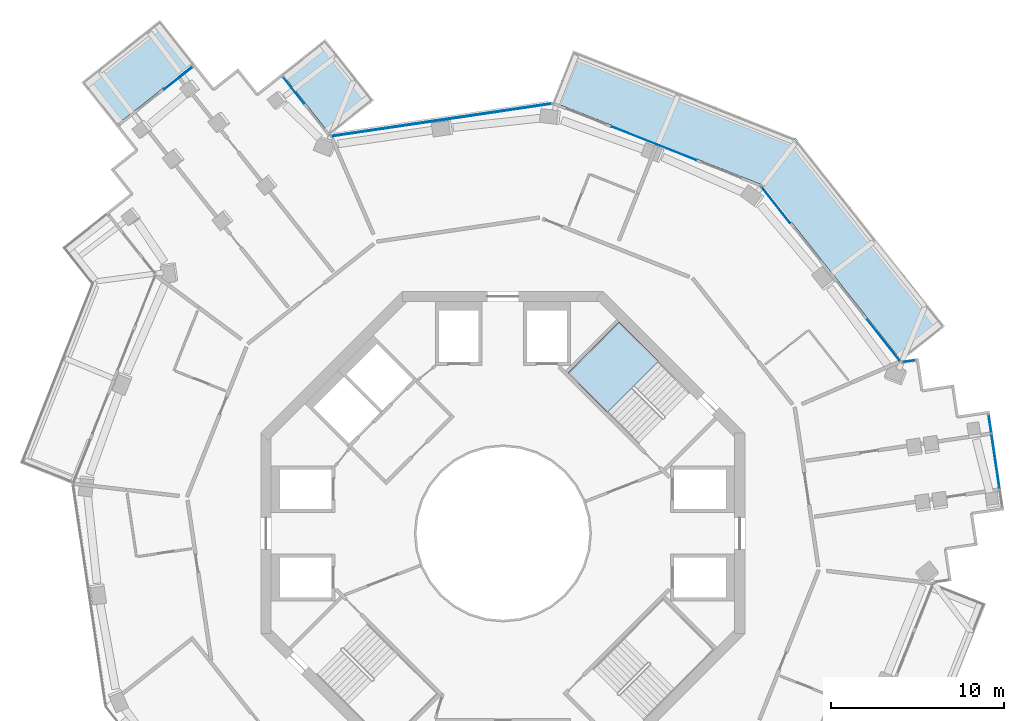
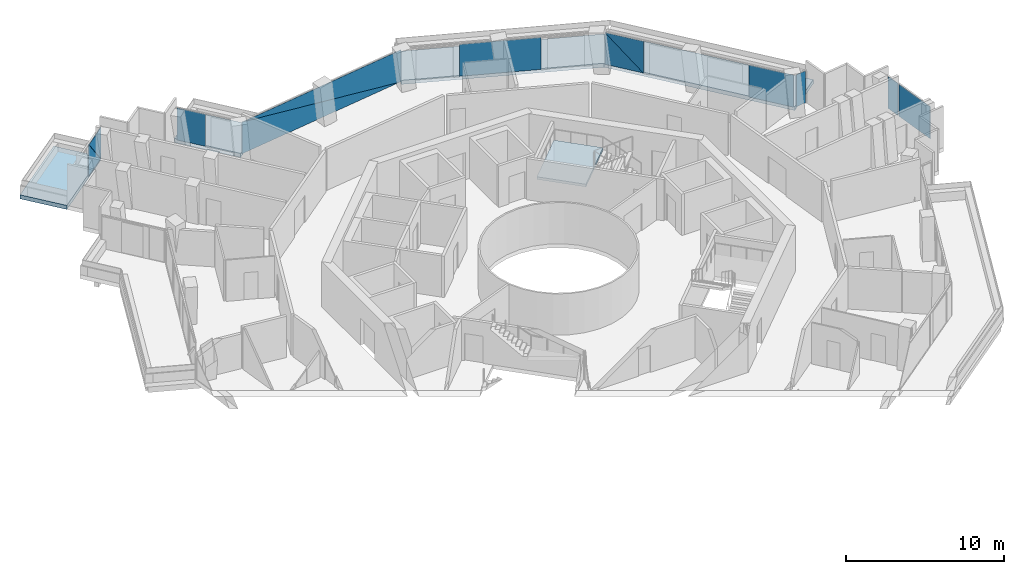
# One storey, part 13 of 21: 12 plates, 4 slabs, 8 elements without a shape of their own.
"""IFC4 building model written with IfcOpenShell, lengths in metres."""

from ifc_helpers import new_model, si_unit, direction, frame, origin, origin_2d, place, context, subcontext, project, spatial, polyline, rectangle, outline, extrude, material, layer, layer_set, type_object, element, aggregate, save


model = new_model("IFC4")

# Units and contexts
model_context = context("Model", 3, precision=1e-05, world=origin(), true_north=direction((0.0, 1.0)))
body_context = subcontext(model_context, "Body", "Model", "MODEL_VIEW")
ifc_project = project(units=[si_unit("LENGTHUNIT", "METRE"), si_unit("AREAUNIT", "SQUARE_METRE"), si_unit("VOLUMEUNIT", "CUBIC_METRE"), si_unit("PLANEANGLEUNIT", "RADIAN"), si_unit("MASSUNIT", "GRAM", prefix="KILO")], contexts=[model_context])

# Site, building, storey
site_placement = place(None, origin())
site = spatial("IfcSite", under=ifc_project, at=site_placement, CompositionType="ELEMENT")
building_placement = place(site_placement, origin())
building = spatial("IfcBuilding", under=site, at=building_placement, Name="Verdalira Terraces Hotel", CompositionType="ELEMENT")
storey_placement = place(building_placement, frame((0.0, 0.0, 190.5)))
storey = spatial("IfcBuildingStorey", under=building, at=storey_placement, Name="L46", CompositionType="ELEMENT", Elevation=190.5)

# Slabs
ifc_material_1 = material(Name="Precast concrete C40/50", Category="concrete")
ifc_layer_1 = layer(ifc_material_1, 0.31005859375)
ifc_layer_set_1 = layer_set([ifc_layer_1], Name="Balcony deck 310")
slab_type_1 = type_object("IfcSlabType", Name="Balcony deck 310", PredefinedType="FLOOR", material=ifc_layer_set_1)
slab_1_placement = place(storey_placement, frame((0.0, 0.0, -0.310059)))
element("IfcSlab", 1, at=slab_1_placement, inside=storey, type_object=slab_type_1, Name="Balcony deck", PredefinedType="FLOOR", context=body_context, shape_type="SweptSolid", body=[
    extrude(outline(polyline([(-24.374756, 26.084473), (-22.387207, 23.57666), (-17.841553, 27.179443), (-19.829346, 29.687256), (-24.374756, 26.084473)])), origin(), (0.0, 0.0, 1.0), 0.310059),
])
slab_2_placement = place(storey_placement, frame((0.0, 0.0, -0.310059)))
element("IfcSlab", 2, at=slab_2_placement, inside=storey, type_object=slab_type_1, Name="Balcony deck", PredefinedType="FLOOR", context=body_context, shape_type="SweptSolid", body=[
    extrude(outline(polyline([(4.064453, 27.922852), (2.886475, 24.947754), (14.973633, 20.162109), (23.048584, 9.974121), (25.556396, 11.96167), (16.948975, 22.821777), (4.064453, 27.922852)])), origin(), (0.0, 0.0, 1.0), 0.310059),
])
slab_3_placement = place(storey_placement, frame((0.0, 0.0, -0.310059)))
element("IfcSlab", 3, at=slab_3_placement, inside=storey, type_object=slab_type_1, Name="Balcony deck", PredefinedType="FLOOR", context=body_context, shape_type="SweptSolid", body=[
    extrude(outline(polyline([(-10.276367, 28.581787), (-12.78418, 26.594238), (-9.974121, 23.048584), (-7.466064, 25.036133), (-10.276367, 28.581787)])), origin(), (0.0, 0.0, 1.0), 0.310059),
])

# Curtain wall, plates
ifc_material_2 = material(Name="Clear glass", Category="glass")
ifc_layer_2 = layer(ifc_material_2, 0.14990234375)
ifc_layer_set_2 = layer_set([ifc_layer_2], Name="CW1 curtain wall")
curtain_wall_type_1 = type_object("IfcCurtainWallType", Name="CW1 curtain wall", PredefinedType="NOTDEFINED", material=ifc_layer_set_2)
curtain_wall_1_placement = place(storey_placement, origin())
curtain_wall_1 = element("IfcCurtainWall", 4, at=curtain_wall_1_placement, inside=storey, type_object=curtain_wall_type_1, Name="CW1 curtain wall L46 edge 39", PredefinedType="NOTDEFINED")
ifc_material_3 = material(Name="Clear glass", Category="glass")
ifc_layer_3 = layer(ifc_material_3, 0.028076171875)
ifc_layer_set_3 = layer_set([ifc_layer_3], Name="CW1 glass unit 28")
plate_type_1 = type_object("IfcPlateType", Name="CW1 glass unit 28", PredefinedType="CURTAIN_PANEL", material=ifc_layer_set_3)
plate_1_placement = place(storey_placement, frame((22.008301, 11.165771, 0.0), z_axis=(0.0, 0.0, 1.0), x_axis=(-0.62114778, 0.783693457, 0.0)))
plate_1 = element("IfcPlate", 5, at=plate_1_placement, type_object=plate_type_1, Name="CW1 glass unit", PredefinedType="CURTAIN_PANEL", context=body_context, shape_type="SweptSolid", body=[
    extrude(rectangle(XDim=3.040039, YDim=0.028076, at=origin_2d()), origin(), (0.0, 0.0, 1.0), 2.475098),
])
plate_2_placement = place(storey_placement, frame((15.785645, 18.994141, 1.237549), z_axis=(0.783693457, 0.62114778, 0.0), x_axis=(-0.62114778, 0.783693457, 0.0)))
plate_2 = element("IfcPlate", 6, at=plate_2_placement, type_object=plate_type_1, Name="CW1 glass unit", PredefinedType="CURTAIN_PANEL", context=body_context, shape_type="SweptSolid", body=[
    extrude(outline(polyline([(-1.319336, -1.237549), (1.319336, -1.237549), (1.319336, 1.237549), (-1.319336, -1.237549)])), origin(), (0.0, 0.0, 1.0), 0.028076),
])
plate_3_placement = place(storey_placement, frame((15.762939, 18.976074, 1.237549), z_axis=(0.783693457, 0.62114778, 0.0), x_axis=(-0.62114778, 0.783693457, 0.0)))
plate_3 = element("IfcPlate", 7, at=plate_3_placement, type_object=plate_type_1, Name="CW1 glass unit", PredefinedType="CURTAIN_PANEL", context=body_context, shape_type="SweptSolid", body=[
    extrude(outline(polyline([(-1.319336, -1.237549), (1.319336, 1.237549), (-1.319336, 1.237549), (-1.319336, -1.237549)])), origin(), (0.0, 0.0, 1.0), 0.028076),
])
aggregate(curtain_wall_1, [plate_1, plate_2, plate_3])

# Curtain wall, plate
curtain_wall_2_placement = place(storey_placement, origin())
curtain_wall_2 = element("IfcCurtainWall", 8, at=curtain_wall_2_placement, inside=storey, type_object=curtain_wall_type_1, Name="CW1 curtain wall L46 edge 40", PredefinedType="NOTDEFINED")
plate_4_placement = place(storey_placement, frame((8.73584, 22.551025, 0.0), z_axis=(0.0, 0.0, 1.0), x_axis=(-0.929776486, 0.368124553, 0.0)))
plate_4 = element("IfcPlate", 9, at=plate_4_placement, type_object=plate_type_1, Name="CW1 glass unit", PredefinedType="CURTAIN_PANEL", context=body_context, shape_type="SweptSolid", body=[
    extrude(rectangle(XDim=5.223633, YDim=0.028076, at=origin_2d()), origin(), (0.0, 0.0, 1.0), 2.475098),
])
aggregate(curtain_wall_2, [plate_4])

# Curtain wall, plates
curtain_wall_3_placement = place(storey_placement, origin())
curtain_wall_3 = element("IfcCurtainWall", 10, at=curtain_wall_3_placement, inside=storey, type_object=curtain_wall_type_1, Name="CW1 curtain wall L46 edge 41", PredefinedType="NOTDEFINED")
plate_5_placement = place(storey_placement, frame((-3.550781, 23.906982, 1.237549), z_axis=(-0.146083029, 0.989272333, 0.0), x_axis=(-0.989272333, -0.146083029, 0.0)))
plate_5 = element("IfcPlate", 11, at=plate_5_placement, type_object=plate_type_1, Name="CW1 glass unit", PredefinedType="CURTAIN_PANEL", context=body_context, shape_type="SweptSolid", body=[
    extrude(outline(polyline([(-6.419922, -1.237549), (6.419922, -1.237549), (6.419922, 1.237549), (-6.419922, -1.237549)])), origin(), (0.0, 0.0, 1.0), 0.028076),
])
plate_6_placement = place(storey_placement, frame((-3.546387, 23.878174, 1.237549), z_axis=(-0.146083029, 0.989272333, 0.0), x_axis=(-0.989272333, -0.146083029, 0.0)))
plate_6 = element("IfcPlate", 12, at=plate_6_placement, type_object=plate_type_1, Name="CW1 glass unit", PredefinedType="CURTAIN_PANEL", context=body_context, shape_type="SweptSolid", body=[
    extrude(outline(polyline([(-6.419922, -1.237549), (6.419922, 1.237549), (-6.419922, 1.237549), (-6.419922, -1.237549)])), origin(), (0.0, 0.0, 1.0), 0.028076),
])
aggregate(curtain_wall_3, [plate_5, plate_6])

# Curtain wall, plate
ifc_material_4 = material(Name="Clear glass", Category="glass")
ifc_layer_4 = layer(ifc_material_4, 0.14990234375)
ifc_layer_set_4 = layer_set([ifc_layer_4], Name="CW2 curtain wall")
curtain_wall_type_2 = type_object("IfcCurtainWallType", Name="CW2 curtain wall", PredefinedType="NOTDEFINED", material=ifc_layer_set_4)
curtain_wall_4_placement = place(storey_placement, origin())
curtain_wall_4 = element("IfcCurtainWall", 13, at=curtain_wall_4_placement, inside=storey, type_object=curtain_wall_type_2, Name="CW2 curtain wall L46 edge 0", PredefinedType="NOTDEFINED")
ifc_material_5 = material(Name="Clear glass", Category="glass")
ifc_layer_5 = layer(ifc_material_5, 0.031982421875)
ifc_layer_set_5 = layer_set([ifc_layer_5], Name="CW2 glass unit 32")
plate_type_2 = type_object("IfcPlateType", Name="CW2 glass unit 32", PredefinedType="CURTAIN_PANEL", material=ifc_layer_set_5)
plate_7_placement = place(storey_placement, frame((-12.106689, 25.618652, 0.0), z_axis=(0.0, 0.0, 1.0), x_axis=(-0.62114778, 0.783693457, 0.0)))
plate_7 = element("IfcPlate", 14, at=plate_7_placement, type_object=plate_type_2, Name="CW2 glass unit", PredefinedType="CURTAIN_PANEL", context=body_context, shape_type="SweptSolid", body=[
    extrude(rectangle(XDim=1.930664, YDim=0.031982, at=origin_2d()), origin(), (0.0, 0.0, 1.0), 2.475098),
])
aggregate(curtain_wall_4, [plate_7])

curtain_wall_5_placement = place(storey_placement, origin())
curtain_wall_5 = element("IfcCurtainWall", 15, at=curtain_wall_5_placement, inside=storey, type_object=curtain_wall_type_2, Name="CW2 curtain wall L46 edge 38", PredefinedType="NOTDEFINED")
plate_8_placement = place(storey_placement, frame((23.47998, 9.961914, 0.0), z_axis=(0.0, 0.0, 1.0), x_axis=(-0.989272333, -0.146083029, 0.0)))
plate_8 = element("IfcPlate", 16, at=plate_8_placement, type_object=plate_type_2, Name="CW2 glass unit", PredefinedType="CURTAIN_PANEL", context=body_context, shape_type="SweptSolid", body=[
    extrude(rectangle(XDim=0.709961, YDim=0.031982, at=origin_2d()), origin(), (0.0, 0.0, 1.0), 2.475098),
])
aggregate(curtain_wall_5, [plate_8])

# Curtain wall, plates
ifc_material_6 = material(Name="Clear glass", Category="glass")
ifc_layer_6 = layer(ifc_material_6, 0.14990234375)
ifc_layer_set_6 = layer_set([ifc_layer_6], Name="CW3 curtain wall")
curtain_wall_type_3 = type_object("IfcCurtainWallType", Name="CW3 curtain wall", PredefinedType="NOTDEFINED", material=ifc_layer_set_6)
curtain_wall_6_placement = place(storey_placement, origin())
curtain_wall_6 = element("IfcCurtainWall", 17, at=curtain_wall_6_placement, inside=storey, type_object=curtain_wall_type_3, Name="CW3 curtain wall L46 edge 5", PredefinedType="NOTDEFINED")
ifc_material_7 = material(Name="Clear glass", Category="glass")
ifc_layer_7 = layer(ifc_material_7, 0.035888671875)
ifc_layer_set_7 = layer_set([ifc_layer_7], Name="CW3 glass unit 36")
plate_type_3 = type_object("IfcPlateType", Name="CW3 glass unit 36", PredefinedType="CURTAIN_PANEL", material=ifc_layer_set_7)
plate_9_placement = place(storey_placement, frame((-18.779053, 26.317627, 1.237549), z_axis=(-0.62114778, 0.783693457, 0.0), x_axis=(-0.783693457, -0.62114778, 0.0)))
plate_9 = element("IfcPlate", 18, at=plate_9_placement, type_object=plate_type_3, Name="CW3 glass unit", PredefinedType="CURTAIN_PANEL", context=body_context, shape_type="SweptSolid", body=[
    extrude(outline(polyline([(-1.040039, -1.237549), (1.040039, -1.237549), (1.040039, 1.237549), (-1.040039, -1.237549)])), origin(), (0.0, 0.0, 1.0), 0.035889),
])
plate_10_placement = place(storey_placement, frame((-18.756104, 26.288574, 1.237549), z_axis=(-0.62114778, 0.783693457, 0.0), x_axis=(-0.783693457, -0.62114778, 0.0)))
plate_10 = element("IfcPlate", 19, at=plate_10_placement, type_object=plate_type_3, Name="CW3 glass unit", PredefinedType="CURTAIN_PANEL", context=body_context, shape_type="SweptSolid", body=[
    extrude(outline(polyline([(-1.040039, -1.237549), (1.040039, 1.237549), (-1.040039, 1.237549), (-1.040039, -1.237549)])), origin(), (0.0, 0.0, 1.0), 0.035889),
])
aggregate(curtain_wall_6, [plate_9, plate_10])

curtain_wall_7_placement = place(storey_placement, origin())
curtain_wall_7 = element("IfcCurtainWall", 20, at=curtain_wall_7_placement, inside=storey, type_object=curtain_wall_type_3, Name="CW3 curtain wall L46 edge 33", PredefinedType="NOTDEFINED")
plate_11_placement = place(storey_placement, frame((28.480957, 4.161865, 0.0), z_axis=(0.0, 0.0, 1.0), x_axis=(-0.146083029, 0.989272333, 0.0)))
plate_11 = element("IfcPlate", 21, at=plate_11_placement, type_object=plate_type_3, Name="CW3 glass unit", PredefinedType="CURTAIN_PANEL", context=body_context, shape_type="SweptSolid", body=[
    extrude(rectangle(XDim=3.18457, YDim=0.035889, at=origin_2d()), origin(), (0.0, 0.0, 1.0), 2.475098),
])
plate_12_placement = place(storey_placement, frame((28.160645, 6.331055, 0.0), z_axis=(0.0, 0.0, 1.0), x_axis=(-0.146083029, 0.989272333, 0.0)))
plate_12 = element("IfcPlate", 22, at=plate_12_placement, type_object=plate_type_3, Name="CW3 glass unit", PredefinedType="CURTAIN_PANEL", context=body_context, shape_type="SweptSolid", body=[
    extrude(rectangle(XDim=1.041016, YDim=0.035889, at=origin_2d()), origin(), (0.0, 0.0, 1.0), 2.475098),
])
aggregate(curtain_wall_7, [plate_11, plate_12])

# Stair, slab
ifc_material_8 = material(Name="Concrete C40", Category="concrete")
stair_type = type_object("IfcStairType", Name="Core stair 20 risers 2050 mm wide", PredefinedType="HALF_TURN_STAIR", material=ifc_material_8)
stair_placement = place(storey_placement, origin())
stair = element("IfcStair", 23, at=stair_placement, inside=storey, type_object=stair_type, Name="L46 Exit stair ST1", PredefinedType="HALF_TURN_STAIR")
ifc_material_9 = material(Name="Concrete C40", Category="concrete")
ifc_layer_8 = layer(ifc_material_9, 0.199951171875)
ifc_layer_set_8 = layer_set([ifc_layer_8], Name="Core stair landing 200 mm")
slab_type_2 = type_object("IfcSlabType", Name="Core stair landing 200 mm", PredefinedType="LANDING", material=ifc_layer_set_8)
slab_4_placement = place(storey_placement, frame((0.0, 0.0, 1.550049)))
slab_4 = element("IfcSlab", 24, at=slab_4_placement, type_object=slab_type_2, Name="ST1 landing 1", PredefinedType="LANDING", context=body_context, shape_type="SweptSolid", body=[
    extrude(outline(polyline([(9.001709, 9.94873), (6.717529, 12.23291), (3.747559, 9.263184), (6.031982, 6.97876), (9.001709, 9.94873)])), origin(), (0.0, 0.0, 1.0), 0.199951),
])
aggregate(stair, [slab_4])

save(model, "model.ifc")
